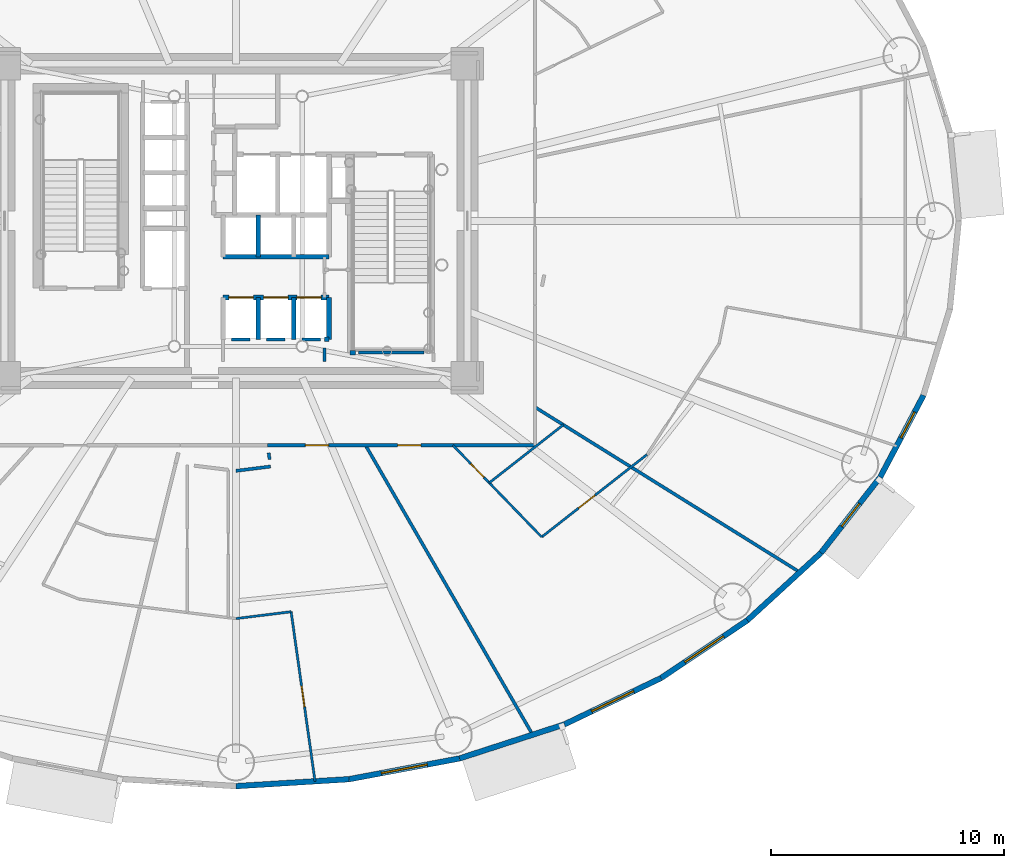
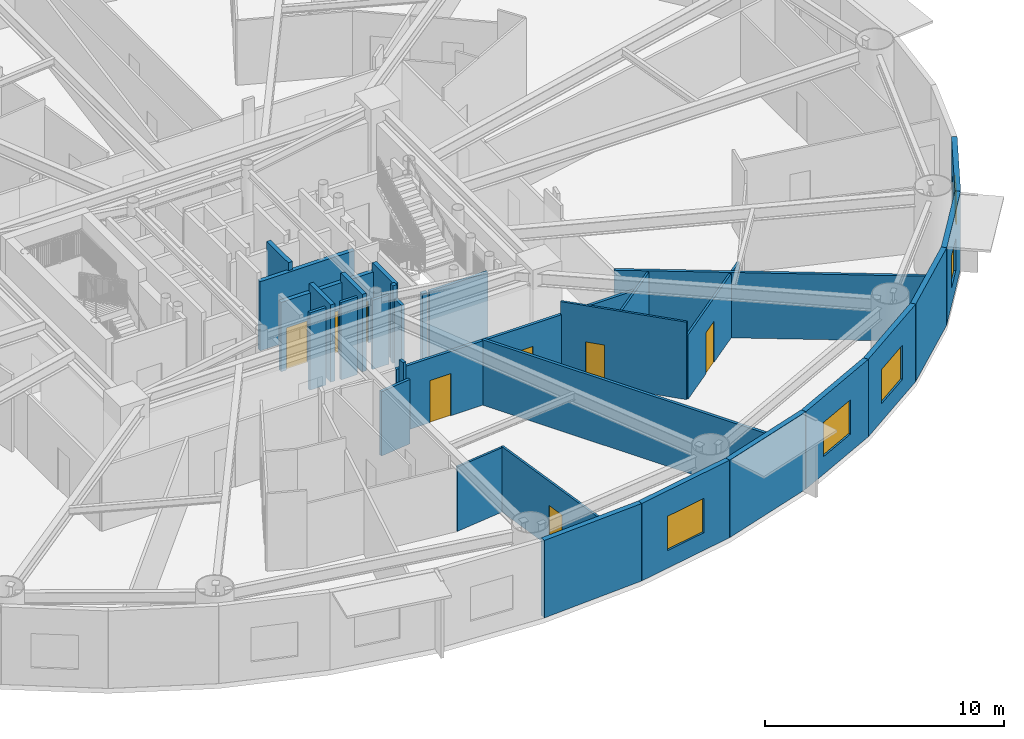
# One storey, part 9 of 20: 31 walls, 8 doors, 5 windows, 13 openings.
"""IFC4 building model written with IfcOpenShell, lengths in metres."""

from ifc_helpers import new_model, si_unit, direction, frame, frame_2d, origin, origin_2d, place, context, subcontext, project, spatial, rectangle, extrude, source, transform, mapped, material, layer, layer_set, type_object, element, fill, save


model = new_model("IFC4")

# Units and contexts
model_context = context("Model", 3, precision=1e-05, world=origin(), true_north=direction((0.0, 1.0)))
body_context = subcontext(model_context, "Body", "Model", "MODEL_VIEW")
ifc_project = project(units=[si_unit("LENGTHUNIT", "METRE"), si_unit("AREAUNIT", "SQUARE_METRE"), si_unit("VOLUMEUNIT", "CUBIC_METRE"), si_unit("PLANEANGLEUNIT", "RADIAN"), si_unit("MASSUNIT", "GRAM", prefix="KILO")], contexts=[model_context])

# Site, building, storey
site_placement = place(None, origin())
site = spatial("IfcSite", under=ifc_project, at=site_placement, CompositionType="ELEMENT")
building_placement = place(site_placement, origin())
building = spatial("IfcBuilding", under=site, at=building_placement, Name="Linh Dai School and Residence Tower", CompositionType="ELEMENT")
storey_placement = place(building_placement, frame((0.0, 0.0, 66.0)))
storey = spatial("IfcBuildingStorey", under=building, at=storey_placement, Name="L15", CompositionType="ELEMENT", Elevation=66.0)

# Wall
ifc_material_1 = material(Name="Precast Concrete B45 (C35/45)", Category="concrete")
ifc_layer_1 = layer(ifc_material_1, 0.239990234375)
ifc_layer_set_1 = layer_set([ifc_layer_1], Name="Precast Concrete B45 (C35/45)")
wall_type_1 = type_object("IfcWallType", Name="EW-TC-240", PredefinedType="SOLIDWALL", material=ifc_layer_set_1)
wall_1_placement = place(storey_placement, frame((40.865478515625, 2.994873046875, 0.0), z_axis=(0.0, 0.0, 1.0), x_axis=(-0.998106954071, -0.061502099433, 0.0)))
element("IfcWall", 1, at=wall_1_placement, inside=storey, type_object=wall_type_1, Name="L15 Terracotta Exterior Wall 31", PredefinedType="SOLIDWALL", context=body_context, shape_type="SweptSolid", body=[
    extrude(rectangle(XDim=4.874755859375, YDim=0.239990234375, at=frame_2d((2.4375, 0.0))), origin(), (0.0, 0.0, 1.0), 3.949951171875),
])

# Wall, opening, window
wall_2_placement = place(storey_placement, frame((45.610595703125, 3.88671875, 0.0), z_axis=(0.0, 0.0, 1.0), x_axis=(-0.982791952378, -0.184715939598, 0.0)))
wall_2 = element("IfcWall", 2, at=wall_2_placement, inside=storey, type_object=wall_type_1, Name="L15 Terracotta Exterior Wall 32", PredefinedType="SOLIDWALL", context=body_context, shape_type="SweptSolid", body=[
    extrude(rectangle(XDim=4.828125, YDim=0.239990234375, at=frame_2d((2.4140625, 0.0))), origin(), (0.0, 0.0, 1.0), 3.949951171875),
])
opening_1_placement = place(wall_2_placement, frame((1.414306640625, 0.0, 0.89990234375)))
opening_1 = element("IfcOpeningElement", 3, at=opening_1_placement, cuts=wall_2, Name="Opening W1", PredefinedType="OPENING", context=body_context, shape_type="SweptSolid", body=[
    extrude(rectangle(XDim=2.0, YDim=1.75, at=origin_2d()), frame((1.0, 0.1298828125, 0.875), z_axis=(0.0, -1.0, 0.0), x_axis=(1.0, 0.0, 0.0)), (0.0, 0.0, 1.0), 0.260009765625),
])
ifc_material_2 = material(Name="Double Low-E Insulated Glazing", Category="glass")
window_type_1 = type_object("IfcWindowType", Name="WN-RES-2000x1750", PartitioningType="DOUBLE_PANEL_VERTICAL", PredefinedType="WINDOW", material=ifc_material_2)
shared_shape_1 = source(origin(), body_context, "Body", "SweptSolid", [
    extrude(rectangle(XDim=2.0, YDim=1.75, at=origin_2d()), frame((1.0, 0.030029296875, 0.875), z_axis=(0.0, -1.0, 0.0), x_axis=(1.0, 0.0, 0.0)), (0.0, 0.0, 1.0), 0.06005859375),
])
window_1_placement = place(opening_1_placement, origin())
window_1 = element("IfcWindow", 4, at=window_1_placement, inside=storey, type_object=window_type_1, Name="L15 Exterior Window 32.1", OverallHeight=1.75, OverallWidth=2.0, PartitioningType="DOUBLE_PANEL_VERTICAL", PredefinedType="WINDOW", context=body_context, shape_type="MappedRepresentation", body=[
    mapped(shared_shape_1, transform((0.0, 0.0, 0.0), x_axis=(1.0, 0.0, 0.0), y_axis=(0.0, 1.0, 0.0), z_axis=(0.0, 0.0, 1.0), scale=1.0)),
])
fill(opening_1, window_1)

# Wall
wall_3_placement = place(storey_placement, frame((50.1181640625, 5.348876953125, 0.0), z_axis=(0.0, 0.0, 1.0), x_axis=(-0.951207699013, -0.308551313946, 0.0)))
element("IfcWall", 5, at=wall_3_placement, inside=storey, type_object=wall_type_1, Name="L15 Terracotta Exterior Wall 33", PredefinedType="SOLIDWALL", context=body_context, shape_type="SweptSolid", body=[
    extrude(rectangle(XDim=4.73876953125, YDim=0.239990234375, at=frame_2d((2.369384765625, 0.0))), origin(), (0.0, 0.0, 1.0), 3.949951171875),
])

# Wall, opening, window
wall_4_placement = place(storey_placement, frame((54.277099609375, 7.34423828125, 0.0), z_axis=(0.0, 0.0, 1.0), x_axis=(-0.901601503137, -0.432567601123, 0.0)))
wall_4 = element("IfcWall", 6, at=wall_4_placement, inside=storey, type_object=wall_type_1, Name="L15 Terracotta Exterior Wall 34", PredefinedType="SOLIDWALL", context=body_context, shape_type="SweptSolid", body=[
    extrude(rectangle(XDim=4.61279296875, YDim=0.239990234375, at=frame_2d((2.306396484375, 0.0))), origin(), (0.0, 0.0, 1.0), 3.949951171875),
])
opening_2_placement = place(wall_4_placement, frame((1.306640625, 0.0, 0.89990234375)))
opening_2 = element("IfcOpeningElement", 7, at=opening_2_placement, cuts=wall_4, Name="Opening W1", PredefinedType="OPENING", context=body_context, shape_type="SweptSolid", body=[
    extrude(rectangle(XDim=2.0, YDim=1.75, at=origin_2d()), frame((1.0, 0.1298828125, 0.875), z_axis=(0.0, -1.0, 0.0), x_axis=(1.0, 0.0, 0.0)), (0.0, 0.0, 1.0), 0.260009765625),
])
window_2_placement = place(opening_2_placement, origin())
window_2 = element("IfcWindow", 8, at=window_2_placement, inside=storey, type_object=window_type_1, Name="L15 Exterior Window 34.1", OverallHeight=1.75, OverallWidth=2.0, PartitioningType="DOUBLE_PANEL_VERTICAL", PredefinedType="WINDOW", context=body_context, shape_type="MappedRepresentation", body=[
    mapped(shared_shape_1, transform((0.0, 0.0, 0.0), x_axis=(1.0, 0.0, 0.0), y_axis=(0.0, 1.0, 0.0), z_axis=(0.0, 0.0, 1.0), scale=1.0)),
])
fill(opening_2, window_2)

wall_5_placement = place(storey_placement, frame((57.984619140625, 9.82373046875, 0.0), z_axis=(0.0, 0.0, 1.0), x_axis=(-0.831240982525, -0.555912249343, 0.0)))
wall_5 = element("IfcWall", 9, at=wall_5_placement, inside=storey, type_object=wall_type_1, Name="L15 Terracotta Exterior Wall 35", PredefinedType="SOLIDWALL", context=body_context, shape_type="SweptSolid", body=[
    extrude(rectangle(XDim=4.460205078125, YDim=0.239990234375, at=frame_2d((2.22998046875, 0.0))), origin(), (0.0, 0.0, 1.0), 3.949951171875),
])
opening_3_placement = place(wall_5_placement, frame((1.230224609375, 0.0, 0.89990234375)))
opening_3 = element("IfcOpeningElement", 10, at=opening_3_placement, cuts=wall_5, Name="Opening W1", PredefinedType="OPENING", context=body_context, shape_type="SweptSolid", body=[
    extrude(rectangle(XDim=2.0, YDim=1.75, at=origin_2d()), frame((1.0, 0.1298828125, 0.875), z_axis=(0.0, -1.0, 0.0), x_axis=(1.0, 0.0, 0.0)), (0.0, 0.0, 1.0), 0.260009765625),
])
window_3_placement = place(opening_3_placement, origin())
window_3 = element("IfcWindow", 11, at=window_3_placement, inside=storey, type_object=window_type_1, Name="L15 Exterior Window 35.1", OverallHeight=1.75, OverallWidth=2.0, PartitioningType="DOUBLE_PANEL_VERTICAL", PredefinedType="WINDOW", context=body_context, shape_type="MappedRepresentation", body=[
    mapped(shared_shape_1, transform((0.0, 0.0, 0.0), x_axis=(1.0, 0.0, 0.0), y_axis=(0.0, 1.0, 0.0), z_axis=(0.0, 0.0, 1.0), scale=1.0)),
])
fill(opening_3, window_3)

# Wall
wall_6_placement = place(storey_placement, frame((61.149658203125, 12.725341796875, 0.0), z_axis=(0.0, 0.0, 1.0), x_axis=(-0.737116376281, -0.67576582321, 0.0)))
element("IfcWall", 12, at=wall_6_placement, inside=storey, type_object=wall_type_1, Name="L15 Terracotta Exterior Wall 36", PredefinedType="SOLIDWALL", context=body_context, shape_type="SweptSolid", body=[
    extrude(rectangle(XDim=4.293701171875, YDim=0.239990234375, at=frame_2d((2.14697265625, 0.0))), origin(), (0.0, 0.0, 1.0), 3.949951171875),
])

# Wall, opening, window
wall_7_placement = place(storey_placement, frame((63.694580078125, 15.977294921875, 0.0), z_axis=(0.0, 0.0, 1.0), x_axis=(-0.616295508253, -0.787514981767, 0.0)))
wall_7 = element("IfcWall", 13, at=wall_7_placement, inside=storey, type_object=wall_type_1, Name="L15 Terracotta Exterior Wall 37", PredefinedType="SOLIDWALL", context=body_context, shape_type="SweptSolid", body=[
    extrude(rectangle(XDim=4.12939453125, YDim=0.239990234375, at=frame_2d((2.064697265625, 0.0))), origin(), (0.0, 0.0, 1.0), 3.949951171875),
])
opening_4_placement = place(wall_7_placement, frame((1.439697265625, 0.0, 0.89990234375)))
opening_4 = element("IfcOpeningElement", 14, at=opening_4_placement, cuts=wall_7, Name="Opening W3", PredefinedType="OPENING", context=body_context, shape_type="SweptSolid", body=[
    extrude(rectangle(XDim=1.25, YDim=1.64990234375, at=origin_2d()), frame((0.625, 0.1298828125, 0.824951171875), z_axis=(0.0, -1.0, 0.0), x_axis=(1.0, 0.0, 0.0)), (0.0, 0.0, 1.0), 0.260009765625),
])
window_type_2 = type_object("IfcWindowType", Name="WN-RES-1250x1650", PartitioningType="SINGLE_PANEL", PredefinedType="WINDOW", material=ifc_material_2)
shared_shape_2 = source(origin(), body_context, "Body", "SweptSolid", [
    extrude(rectangle(XDim=1.25, YDim=1.64990234375, at=origin_2d()), frame((0.625, 0.030029296875, 0.824951171875), z_axis=(0.0, -1.0, 0.0), x_axis=(1.0, 0.0, 0.0)), (0.0, 0.0, 1.0), 0.06005859375),
])
window_4_placement = place(opening_4_placement, origin())
window_4 = element("IfcWindow", 15, at=window_4_placement, inside=storey, type_object=window_type_2, Name="L15 Dwelling Window U1510-BD1", OverallHeight=1.64990234375, OverallWidth=1.25, PartitioningType="SINGLE_PANEL", PredefinedType="WINDOW", context=body_context, shape_type="MappedRepresentation", body=[
    mapped(shared_shape_2, transform((0.0, 0.0, 0.0), x_axis=(1.0, 0.0, 0.0), y_axis=(0.0, 1.0, 0.0), z_axis=(0.0, 0.0, 1.0), scale=1.0)),
])
fill(opening_4, window_4)

wall_8_placement = place(storey_placement, frame((65.5576171875, 19.49853515625, 0.0), z_axis=(0.0, 0.0, 1.0), x_axis=(-0.467662443071, -0.883907144072, 0.0)))
wall_8 = element("IfcWall", 16, at=wall_8_placement, inside=storey, type_object=wall_type_1, Name="L15 Terracotta Exterior Wall 38", PredefinedType="SOLIDWALL", context=body_context, shape_type="SweptSolid", body=[
    extrude(rectangle(XDim=3.983642578125, YDim=0.239990234375, at=frame_2d((1.99169921875, 0.0))), origin(), (0.0, 0.0, 1.0), 3.949951171875),
])
opening_5_placement = place(wall_8_placement, frame((0.8173828125, 0.0, 0.89990234375)))
opening_5 = element("IfcOpeningElement", 17, at=opening_5_placement, cuts=wall_8, Name="Opening W3", PredefinedType="OPENING", context=body_context, shape_type="SweptSolid", body=[
    extrude(rectangle(XDim=1.25, YDim=1.64990234375, at=origin_2d()), frame((0.625, 0.1298828125, 0.824951171875), z_axis=(0.0, -1.0, 0.0), x_axis=(1.0, 0.0, 0.0)), (0.0, 0.0, 1.0), 0.260009765625),
])
window_5_placement = place(opening_5_placement, origin())
window_5 = element("IfcWindow", 18, at=window_5_placement, inside=storey, type_object=window_type_2, Name="L15 Exterior Window 38.1", OverallHeight=1.64990234375, OverallWidth=1.25, PartitioningType="SINGLE_PANEL", PredefinedType="WINDOW", context=body_context, shape_type="MappedRepresentation", body=[
    mapped(shared_shape_2, transform((0.0, 0.0, 0.0), x_axis=(1.0, 0.0, 0.0), y_axis=(0.0, 1.0, 0.0), z_axis=(0.0, 0.0, 1.0), scale=1.0)),
])
fill(opening_5, window_5)

# Wall, openings, doors
ifc_material_3 = material(Name="Autoclaved Aerated Concrete Blockwork", Category="masonry")
ifc_layer_2 = layer(ifc_material_3, 0.135009765625)
ifc_layer_set_2 = layer_set([ifc_layer_2], Name="Autoclaved Aerated Concrete Blockwork")
wall_type_2 = type_object("IfcWallType", Name="IW-CORR-135-EI90", PredefinedType="PARTITIONING", material=ifc_layer_set_2)
wall_9_placement = place(storey_placement, frame((37.362060546875, 17.35009765625, 0.0), z_axis=(0.0, 0.0, 1.0), x_axis=(1.0, 0.0, 0.0)))
wall_9 = element("IfcWall", 19, at=wall_9_placement, inside=storey, type_object=wall_type_2, Name="L15 Interior Partition Wall 064", PredefinedType="PARTITIONING", context=body_context, shape_type="SweptSolid", body=[
    extrude(rectangle(XDim=11.488037109375, YDim=0.135009765625, at=frame_2d((5.744140625, 0.0))), origin(), (0.0, 0.0, 1.0), 3.284912109375),
])
opening_6_placement = place(wall_9_placement, frame((1.624755859375, 0.0, 0.0)))
opening_6 = element("IfcOpeningElement", 20, at=opening_6_placement, cuts=wall_9, Name="Opening D03", PredefinedType="OPENING", context=body_context, shape_type="SweptSolid", body=[
    extrude(rectangle(XDim=1.0, YDim=2.14990234375, at=origin_2d()), frame((0.5, 0.07763671875, 1.074951171875), z_axis=(0.0, -1.0, 0.0), x_axis=(1.0, 0.0, 0.0)), (0.0, 0.0, 1.0), 0.155029296875),
])
opening_7_placement = place(wall_9_placement, frame((5.588623046875, 0.0, 0.0)))
opening_7 = element("IfcOpeningElement", 21, at=opening_7_placement, cuts=wall_9, Name="Opening D03", PredefinedType="OPENING", context=body_context, shape_type="SweptSolid", body=[
    extrude(rectangle(XDim=1.0, YDim=2.14990234375, at=origin_2d()), frame((0.5, 0.07763671875, 1.074951171875), z_axis=(0.0, -1.0, 0.0), x_axis=(1.0, 0.0, 0.0)), (0.0, 0.0, 1.0), 0.155029296875),
])
ifc_material_4 = material(Name="Fire-Rated Solid Timber Entrance Door", Category="wood")
door_type_1 = type_object("IfcDoorType", Name="DR-FLAT-1000x2150-FD60S", OperationType="NOTDEFINED", PredefinedType="DOOR", material=ifc_material_4)
shared_shape_3 = source(origin(), body_context, "Body", "SweptSolid", [
    extrude(rectangle(XDim=1.0, YDim=2.14990234375, at=origin_2d()), frame((0.5, 0.02490234375, 1.074951171875), z_axis=(0.0, -1.0, 0.0), x_axis=(1.0, 0.0, 0.0)), (0.0, 0.0, 1.0), 0.050048828125),
])
door_1_placement = place(opening_6_placement, origin())
door_1 = element("IfcDoor", 22, at=door_1_placement, inside=storey, type_object=door_type_1, Name="L15 U1508 Apartment Entrance Door", OperationType="SINGLE_SWING_RIGHT", OverallHeight=2.14990234375, OverallWidth=1.0, PredefinedType="DOOR", context=body_context, shape_type="MappedRepresentation", body=[
    mapped(shared_shape_3, transform((0.0, 0.0, 0.0), x_axis=(1.0, 0.0, 0.0), y_axis=(0.0, 1.0, 0.0), z_axis=(0.0, 0.0, 1.0), scale=1.0)),
])
fill(opening_6, door_1)
door_2_placement = place(opening_7_placement, origin())
door_2 = element("IfcDoor", 23, at=door_2_placement, inside=storey, type_object=door_type_1, Name="L15 U1509 Apartment Entrance Door", OperationType="SINGLE_SWING_RIGHT", OverallHeight=2.14990234375, OverallWidth=1.0, PredefinedType="DOOR", context=body_context, shape_type="MappedRepresentation", body=[
    mapped(shared_shape_3, transform((0.0, 0.0, 0.0), x_axis=(1.0, 0.0, 0.0), y_axis=(0.0, 1.0, 0.0), z_axis=(0.0, 0.0, 1.0), scale=1.0)),
])
fill(opening_7, door_2)

# Walls
wall_10_placement = place(storey_placement, frame((41.571533203125, 17.35009765625, 0.0), z_axis=(0.0, 0.0, 1.0), x_axis=(0.499990052844, -0.866031146701, 0.0)))
element("IfcWall", 24, at=wall_10_placement, inside=storey, type_object=wall_type_2, Name="L15 Interior Partition Wall 080", PredefinedType="PARTITIONING", context=body_context, shape_type="SweptSolid", body=[
    extrude(rectangle(XDim=14.373291015625, YDim=0.135009765625, at=frame_2d((7.1865234375, 0.0))), origin(), (0.0, 0.0, 1.0), 3.3349609375),
])
wall_11_placement = place(storey_placement, frame((48.85009765625, 18.991455078125, 0.0), z_axis=(0.0, 0.0, 1.0), x_axis=(0.848674864049, -0.528914903488, 0.0)))
element("IfcWall", 25, at=wall_11_placement, inside=storey, type_object=wall_type_2, Name="L15 Interior Partition Wall 093", PredefinedType="PARTITIONING", context=body_context, shape_type="SweptSolid", body=[
    extrude(rectangle(XDim=13.42724609375, YDim=0.135009765625, at=frame_2d((6.713623046875, 0.0))), origin(), (0.0, 0.0, 1.0), 3.3349609375),
])
wall_12_placement = place(storey_placement, frame((44.080078125, 21.330078125, 0.0), z_axis=(0.0, 0.0, 1.0), x_axis=(-1.0, 0.0, 0.0)))
element("IfcWall", 26, at=wall_12_placement, inside=storey, type_object=wall_type_2, Name="L15 Interior Partition Wall 106", PredefinedType="PARTITIONING", context=body_context, shape_type="SweptSolid", body=[
    extrude(rectangle(XDim=2.820068359375, YDim=0.135009765625, at=frame_2d((1.41015625, 0.0))), origin(), (0.0, 0.0, 1.0), 3.485107421875),
])
wall_13_placement = place(storey_placement, frame((36.60009765625, 21.89990234375, 0.0), z_axis=(0.0, 0.0, 1.0), x_axis=(-1.0, 0.0, 0.0)))
element("IfcWall", 27, at=wall_13_placement, inside=storey, type_object=wall_type_2, Name="L15 Interior Partition Wall 107", PredefinedType="PARTITIONING", context=body_context, shape_type="SweptSolid", body=[
    extrude(rectangle(XDim=0.7900390625, YDim=0.135009765625, at=frame_2d((0.39501953125, 0.0))), origin(), (0.0, 0.0, 1.0), 3.949951171875),
])
wall_14_placement = place(storey_placement, frame((38.1201171875, 21.89990234375, 0.0), z_axis=(0.0, 0.0, 1.0), x_axis=(-1.0, 0.0, 0.0)))
element("IfcWall", 28, at=wall_14_placement, inside=storey, type_object=wall_type_2, Name="L15 Interior Partition Wall 108", PredefinedType="PARTITIONING", context=body_context, shape_type="SweptSolid", body=[
    extrude(rectangle(XDim=0.800048828125, YDim=0.135009765625, at=frame_2d((0.39990234375, 0.0))), origin(), (0.0, 0.0, 1.0), 3.949951171875),
])
wall_15_placement = place(storey_placement, frame((39.639892578125, 21.89990234375, 0.0), z_axis=(0.0, 0.0, 1.0), x_axis=(-1.0, 0.0, 0.0)))
element("IfcWall", 29, at=wall_15_placement, inside=storey, type_object=wall_type_2, Name="L15 Interior Partition Wall 109", PredefinedType="PARTITIONING", context=body_context, shape_type="SweptSolid", body=[
    extrude(rectangle(XDim=0.7998046875, YDim=0.135009765625, at=frame_2d((0.39990234375, 0.0))), origin(), (0.0, 0.0, 1.0), 3.534912109375),
])
wall_16_placement = place(storey_placement, frame((39.800048828125, 20.9599609375, 0.0), z_axis=(0.0, 0.0, 1.0), x_axis=(0.0, 1.0, 0.0)))
element("IfcWall", 30, at=wall_16_placement, inside=storey, type_object=wall_type_2, Name="L15 Interior Partition Wall 111", PredefinedType="PARTITIONING", context=body_context, shape_type="SweptSolid", body=[
    extrude(rectangle(XDim=0.580078125, YDim=0.135009765625, at=frame_2d((0.2900390625, 0.0))), origin(), (0.0, 0.0, 1.0), 3.485107421875),
])
wall_17_placement = place(storey_placement, frame((36.0, 16.250732421875, 0.0), z_axis=(0.0, 0.0, 1.0), x_axis=(0.992387468615, 0.12315482993, 0.0)))
element("IfcWall", 31, at=wall_17_placement, inside=storey, type_object=wall_type_2, Name="L15 Interior Partition Wall 134", PredefinedType="PARTITIONING", context=body_context, shape_type="SweptSolid", body=[
    extrude(rectangle(XDim=1.502685546875, YDim=0.135009765625, at=frame_2d((0.75146484375, 0.0))), origin(), (0.0, 0.0, 1.0), 3.284912109375),
])
wall_18_placement = place(storey_placement, frame((37.447998046875, 16.740234375, 0.0), z_axis=(0.0, 0.0, 1.0), x_axis=(-0.139622307759, 0.990204832939, 0.0)))
element("IfcWall", 32, at=wall_18_placement, inside=storey, type_object=wall_type_2, Name="L15 Interior Partition Wall 135", PredefinedType="PARTITIONING", context=body_context, shape_type="SweptSolid", body=[
    extrude(rectangle(XDim=0.284912109375, YDim=0.135009765625, at=frame_2d((0.142578125, 0.0))), origin(), (0.0, 0.0, 1.0), 3.949951171875),
])

# Wall, openings, doors
ifc_material_5 = material(Name="Concrete B45 (C35/45)", Category="concrete")
ifc_layer_3 = layer(ifc_material_5, 0.199951171875)
ifc_layer_set_3 = layer_set([ifc_layer_3], Name="Concrete B45 (C35/45)")
wall_type_3 = type_object("IfcWallType", Name="IW-SHAFT-200-EI120", PredefinedType="PARTITIONING", material=ifc_layer_set_3)
wall_19_placement = place(storey_placement, frame((35.449951171875, 23.699951171875, 0.0), z_axis=(0.0, 0.0, 1.0), x_axis=(1.0, 0.0, 0.0)))
wall_19 = element("IfcWall", 33, at=wall_19_placement, inside=storey, type_object=wall_type_3, Name="L15 Interior Partition Wall 053", PredefinedType="PARTITIONING", context=body_context, shape_type="SweptSolid", body=[
    extrude(rectangle(XDim=4.550048828125, YDim=0.199951171875, at=frame_2d((2.27490234375, 0.0))), origin(), (0.0, 0.0, 1.0), 3.534912109375),
])
opening_8_placement = place(wall_19_placement, frame((0.25, 0.0, 0.0)))
opening_8 = element("IfcOpeningElement", 34, at=opening_8_placement, cuts=wall_19, Name="Opening LD-PL1", PredefinedType="OPENING", context=body_context, shape_type="SweptSolid", body=[
    extrude(rectangle(XDim=1.050048828125, YDim=2.14990234375, at=origin_2d()), frame((0.52490234375, 0.10986328125, 1.074951171875), z_axis=(0.0, -1.0, 0.0), x_axis=(1.0, 0.0, 0.0)), (0.0, 0.0, 1.0), 0.219970703125),
])
opening_9_placement = place(wall_19_placement, frame((1.7451171875, 0.0, 0.0)))
opening_9 = element("IfcOpeningElement", 35, at=opening_9_placement, cuts=wall_19, Name="Opening LD-PL2", PredefinedType="OPENING", context=body_context, shape_type="SweptSolid", body=[
    extrude(rectangle(XDim=1.050048828125, YDim=2.14990234375, at=origin_2d()), frame((0.52490234375, 0.10986328125, 1.074951171875), z_axis=(0.0, -1.0, 0.0), x_axis=(1.0, 0.0, 0.0)), (0.0, 0.0, 1.0), 0.219970703125),
])
opening_10_placement = place(wall_19_placement, frame((3.1650390625, 0.0, 0.0)))
opening_10 = element("IfcOpeningElement", 36, at=opening_10_placement, cuts=wall_19, Name="Opening LD-PL3", PredefinedType="OPENING", context=body_context, shape_type="SweptSolid", body=[
    extrude(rectangle(XDim=1.050048828125, YDim=2.14990234375, at=origin_2d()), frame((0.52490234375, 0.10986328125, 1.074951171875), z_axis=(0.0, -1.0, 0.0), x_axis=(1.0, 0.0, 0.0)), (0.0, 0.0, 1.0), 0.219970703125),
])
ifc_material_6 = material(Name="Brushed Stainless Steel Lift Landing Door", Category="steel")
door_type_2 = type_object("IfcDoorType", Name="DR-LD-PASS-1050x2150", OperationType="DOUBLE_DOOR_SLIDING", PredefinedType="USERDEFINED", material=ifc_material_6)
shared_shape_4 = source(origin(), body_context, "Body", "SweptSolid", [
    extrude(rectangle(XDim=1.050048828125, YDim=2.14990234375, at=origin_2d()), frame((0.52490234375, 0.02490234375, 1.074951171875), z_axis=(0.0, -1.0, 0.0), x_axis=(1.0, 0.0, 0.0)), (0.0, 0.0, 1.0), 0.050048828125),
])
door_3_placement = place(opening_8_placement, origin())
door_3 = element("IfcDoor", 37, at=door_3_placement, inside=storey, type_object=door_type_2, Name="L15 Lift PL1 Sliding Landing Door", ObjectType="LANDING DOOR", OperationType="DOUBLE_DOOR_SLIDING", OverallHeight=2.14990234375, OverallWidth=1.050048828125, PredefinedType="USERDEFINED", context=body_context, shape_type="MappedRepresentation", body=[
    mapped(shared_shape_4, transform((0.0, 0.0, 0.0), x_axis=(1.0, 0.0, 0.0), y_axis=(0.0, 1.0, 0.0), z_axis=(0.0, 0.0, 1.0), scale=1.0)),
])
fill(opening_8, door_3)
door_4_placement = place(opening_9_placement, origin())
door_4 = element("IfcDoor", 38, at=door_4_placement, inside=storey, type_object=door_type_2, Name="L15 Lift PL2 Sliding Landing Door", ObjectType="LANDING DOOR", OperationType="DOUBLE_DOOR_SLIDING", OverallHeight=2.14990234375, OverallWidth=1.050048828125, PredefinedType="USERDEFINED", context=body_context, shape_type="MappedRepresentation", body=[
    mapped(shared_shape_4, transform((0.0, 0.0, 0.0), x_axis=(1.0, 0.0, 0.0), y_axis=(0.0, 1.0, 0.0), z_axis=(0.0, 0.0, 1.0), scale=1.0)),
])
fill(opening_9, door_4)
door_5_placement = place(opening_10_placement, origin())
door_5 = element("IfcDoor", 39, at=door_5_placement, inside=storey, type_object=door_type_2, Name="L15 Lift PL3 Sliding Landing Door", ObjectType="LANDING DOOR", OperationType="DOUBLE_DOOR_SLIDING", OverallHeight=2.14990234375, OverallWidth=1.050048828125, PredefinedType="USERDEFINED", context=body_context, shape_type="MappedRepresentation", body=[
    mapped(shared_shape_4, transform((0.0, 0.0, 0.0), x_axis=(1.0, 0.0, 0.0), y_axis=(0.0, 1.0, 0.0), z_axis=(0.0, 0.0, 1.0), scale=1.0)),
])
fill(opening_10, door_5)

# Walls
wall_20_placement = place(storey_placement, frame((35.449951171875, 25.449951171875, 0.0), z_axis=(0.0, 0.0, 1.0), x_axis=(1.0, 0.0, 0.0)))
element("IfcWall", 40, at=wall_20_placement, inside=storey, type_object=wall_type_3, Name="L15 Interior Partition Wall 055", PredefinedType="PARTITIONING", context=body_context, shape_type="SweptSolid", body=[
    extrude(rectangle(XDim=4.550048828125, YDim=0.199951171875, at=frame_2d((2.27490234375, 0.0))), origin(), (0.0, 0.0, 1.0), 3.534912109375),
])
for number, where, z_axis, x_axis, name in (
    (41, (36.9599609375, 21.89990234375, 0.0), (0.0, 0.0, 1.0), (0.0, 1.0, 0.0), "L15 Interior Partition Wall 061"),
    (42, (36.9599609375, 25.449951171875, 0.0), (0.0, 0.0, 1.0), (0.0, 1.0, 0.0), "L15 Interior Partition Wall 062"),
    (43, (38.47998046875, 21.89990234375, 0.0), (0.0, 0.0, 1.0), (0.0, 1.0, 0.0), "L15 Interior Partition Wall 068"),
):
    element("IfcWall", number, at=place(storey_placement, frame(where, z_axis=z_axis, x_axis=x_axis)), inside=storey, type_object=wall_type_3, Name=name, PredefinedType="PARTITIONING", context=body_context, shape_type="SweptSolid", body=[
        extrude(rectangle(XDim=1.800048828125, YDim=0.199951171875, at=frame_2d((0.89990234375, 0.0))), origin(), (0.0, 0.0, 1.0), 3.949951171875),
    ])
wall_21_placement = place(storey_placement, frame((39.800048828125, 21.89990234375, 0.0), z_axis=(0.0, 0.0, 1.0), x_axis=(1.0, 0.0, 0.0)))
element("IfcWall", 44, at=wall_21_placement, inside=storey, type_object=wall_type_3, Name="L15 Interior Partition Wall 071", PredefinedType="PARTITIONING", context=body_context, shape_type="SweptSolid", body=[
    extrude(rectangle(XDim=0.199951171875, YDim=0.199951171875, at=frame_2d((0.10009765625, 0.0))), origin(), (0.0, 0.0, 1.0), 3.949951171875),
])
wall_22_placement = place(storey_placement, frame((40.0, 21.89990234375, 0.0), z_axis=(0.0, 0.0, 1.0), x_axis=(0.0, 1.0, 0.0)))
element("IfcWall", 45, at=wall_22_placement, inside=storey, type_object=wall_type_3, Name="L15 Interior Partition Wall 074", PredefinedType="PARTITIONING", context=body_context, shape_type="SweptSolid", body=[
    extrude(rectangle(XDim=1.800048828125, YDim=0.199951171875, at=frame_2d((0.89990234375, 0.0))), origin(), (0.0, 0.0, 1.0), 3.949951171875),
])
wall_23_placement = place(storey_placement, frame((40.89990234375, 21.330078125, 0.0), z_axis=(0.0, 0.0, 1.0), x_axis=(1.0, 0.0, 0.0)))
element("IfcWall", 46, at=wall_23_placement, inside=storey, type_object=wall_type_3, Name="L15 Interior Partition Wall 079", PredefinedType="PARTITIONING", context=body_context, shape_type="SweptSolid", body=[
    extrude(rectangle(XDim=0.25, YDim=0.199951171875, at=frame_2d((0.125, 0.0))), origin(), (0.0, 0.0, 1.0), 3.485107421875),
])
ifc_material_7 = material(Name="Gypsum Plasterboard Acoustic Stud Partition", Category="masonry")
ifc_layer_4 = layer(ifc_material_7, 0.10009765625)
ifc_layer_set_4 = layer_set([ifc_layer_4], Name="Gypsum Plasterboard Acoustic Stud Partition")
wall_type_4 = type_object("IfcWallType", Name="IW-UNIT-100", PredefinedType="PARTITIONING", material=ifc_layer_set_4)
wall_24_placement = place(storey_placement, frame((36.0, 9.89892578125, 0.0), z_axis=(0.0, 0.0, 1.0), x_axis=(0.992396842546, 0.123079270818, 0.0)))
element("IfcWall", 47, at=wall_24_placement, inside=storey, type_object=wall_type_4, Name="L15 Interior Partition Wall 060", PredefinedType="PARTITIONING", context=body_context, shape_type="SweptSolid", body=[
    extrude(rectangle(XDim=2.39013671875, YDim=0.10009765625, at=frame_2d((1.195068359375, 0.0))), origin(), (0.0, 0.0, 1.0), 3.284912109375),
])

# Wall, opening, door
wall_25_placement = place(storey_placement, frame((38.3720703125, 10.193115234375, 0.0), z_axis=(0.0, 0.0, 1.0), x_axis=(0.139773837757, -0.99018345486, 0.0)))
wall_25 = element("IfcWall", 48, at=wall_25_placement, inside=storey, type_object=wall_type_4, Name="L15 Interior Partition Wall 067", PredefinedType="PARTITIONING", context=body_context, shape_type="SweptSolid", body=[
    extrude(rectangle(XDim=7.36572265625, YDim=0.10009765625, at=frame_2d((3.682861328125, 0.0))), origin(), (0.0, 0.0, 1.0), 3.3349609375),
])
opening_11_placement = place(wall_25_placement, frame((3.23291015625, 0.0, 0.0)))
opening_11 = element("IfcOpeningElement", 49, at=opening_11_placement, cuts=wall_25, Name="Opening D05", PredefinedType="OPENING", context=body_context, shape_type="SweptSolid", body=[
    extrude(rectangle(XDim=0.89990234375, YDim=2.10009765625, at=origin_2d()), frame((0.449951171875, 0.06005859375, 1.050048828125), z_axis=(0.0, -1.0, 0.0), x_axis=(1.0, 0.0, 0.0)), (0.0, 0.0, 1.0), 0.1201171875),
])
ifc_material_8 = material(Name="Engineered Timber Internal Door", Category="wood")
door_type_3 = type_object("IfcDoorType", Name="DR-INT-900x2100", OperationType="NOTDEFINED", PredefinedType="DOOR", material=ifc_material_8)
shared_shape_5 = source(origin(), body_context, "Body", "SweptSolid", [
    extrude(rectangle(XDim=0.89990234375, YDim=2.10009765625, at=origin_2d()), frame((0.449951171875, 0.02490234375, 1.050048828125), z_axis=(0.0, -1.0, 0.0), x_axis=(1.0, 0.0, 0.0)), (0.0, 0.0, 1.0), 0.050048828125),
])
door_6_placement = place(opening_11_placement, origin())
door_6 = element("IfcDoor", 50, at=door_6_placement, inside=storey, type_object=door_type_3, Name="L15 Apartment U1508 Principal Bedroom 1 Door", OperationType="SINGLE_SWING_LEFT", OverallHeight=2.10009765625, OverallWidth=0.89990234375, PredefinedType="DOOR", context=body_context, shape_type="MappedRepresentation", body=[
    mapped(shared_shape_5, transform((0.0, 0.0, 0.0), x_axis=(1.0, 0.0, 0.0), y_axis=(0.0, 1.0, 0.0), z_axis=(0.0, 0.0, 1.0), scale=1.0)),
])
fill(opening_11, door_6)

wall_26_placement = place(storey_placement, frame((45.329833984375, 17.35009765625, 0.0), z_axis=(0.0, 0.0, 1.0), x_axis=(0.695082659364, -0.718929827348, 0.0)))
wall_26 = element("IfcWall", 51, at=wall_26_placement, inside=storey, type_object=wall_type_4, Name="L15 Interior Partition Wall 085", PredefinedType="PARTITIONING", context=body_context, shape_type="SweptSolid", body=[
    extrude(rectangle(XDim=5.4873046875, YDim=0.10009765625, at=frame_2d((2.74365234375, 0.0))), origin(), (0.0, 0.0, 1.0), 3.949951171875),
])
opening_12_placement = place(wall_26_placement, frame((1.100341796875, 0.0, 0.0)))
opening_12 = element("IfcOpeningElement", 52, at=opening_12_placement, cuts=wall_26, Name="Opening D06", PredefinedType="OPENING", context=body_context, shape_type="SweptSolid", body=[
    extrude(rectangle(XDim=0.820068359375, YDim=2.10009765625, at=origin_2d()), frame((0.41015625, 0.06005859375, 1.050048828125), z_axis=(0.0, -1.0, 0.0), x_axis=(1.0, 0.0, 0.0)), (0.0, 0.0, 1.0), 0.1201171875),
])
ifc_material_9 = material(Name="Moisture-Resistant Timber Bathroom Door", Category="wood")
door_type_4 = type_object("IfcDoorType", Name="DR-WET-820x2100", OperationType="NOTDEFINED", PredefinedType="DOOR", material=ifc_material_9)
shared_shape_6 = source(origin(), body_context, "Body", "SweptSolid", [
    extrude(rectangle(XDim=0.820068359375, YDim=2.10009765625, at=origin_2d()), frame((0.41015625, 0.02490234375, 1.050048828125), z_axis=(0.0, -1.0, 0.0), x_axis=(1.0, 0.0, 0.0)), (0.0, 0.0, 1.0), 0.050048828125),
])
door_7_placement = place(opening_12_placement, origin())
door_7 = element("IfcDoor", 53, at=door_7_placement, inside=storey, type_object=door_type_4, Name="L15 Apartment U1509 Bathroom Door", OperationType="SINGLE_SWING_LEFT", OverallHeight=2.10009765625, OverallWidth=0.820068359375, PredefinedType="DOOR", context=body_context, shape_type="MappedRepresentation", body=[
    mapped(shared_shape_6, transform((0.0, 0.0, 0.0), x_axis=(1.0, 0.0, 0.0), y_axis=(0.0, 1.0, 0.0), z_axis=(0.0, 0.0, 1.0), scale=1.0)),
])
fill(opening_12, door_7)

# Wall
wall_27_placement = place(storey_placement, frame((46.890625, 15.735595703125, 0.0), z_axis=(0.0, 0.0, 1.0), x_axis=(0.787335515078, 0.61652476568, 0.0)))
element("IfcWall", 54, at=wall_27_placement, inside=storey, type_object=wall_type_4, Name="L15 Interior Partition Wall 086", PredefinedType="PARTITIONING", context=body_context, shape_type="SweptSolid", body=[
    extrude(rectangle(XDim=4.04345703125, YDim=0.10009765625, at=frame_2d((2.021728515625, 0.0))), origin(), (0.0, 0.0, 1.0), 3.284912109375),
])

# Wall, opening, door
wall_28_placement = place(storey_placement, frame((49.14404296875, 13.4052734375, 0.0), z_axis=(0.0, 0.0, 1.0), x_axis=(0.787337339938, 0.616522435228, 0.0)))
wall_28 = element("IfcWall", 55, at=wall_28_placement, inside=storey, type_object=wall_type_4, Name="L15 Interior Partition Wall 097", PredefinedType="PARTITIONING", context=body_context, shape_type="SweptSolid", body=[
    extrude(rectangle(XDim=5.7470703125, YDim=0.10009765625, at=frame_2d((2.87353515625, 0.0))), origin(), (0.0, 0.0, 1.0), 3.284912109375),
])
opening_13_placement = place(wall_28_placement, frame((2.010009765625, 0.0, 0.0)))
opening_13 = element("IfcOpeningElement", 56, at=opening_13_placement, cuts=wall_28, Name="Opening D05", PredefinedType="OPENING", context=body_context, shape_type="SweptSolid", body=[
    extrude(rectangle(XDim=0.89990234375, YDim=2.10009765625, at=origin_2d()), frame((0.449951171875, 0.06005859375, 1.050048828125), z_axis=(0.0, -1.0, 0.0), x_axis=(1.0, 0.0, 0.0)), (0.0, 0.0, 1.0), 0.1201171875),
])
door_8_placement = place(opening_13_placement, origin())
door_8 = element("IfcDoor", 57, at=door_8_placement, inside=storey, type_object=door_type_3, Name="L15 Apartment U1509 Kitchen Door", OperationType="SINGLE_SWING_RIGHT", OverallHeight=2.10009765625, OverallWidth=0.89990234375, PredefinedType="DOOR", context=body_context, shape_type="MappedRepresentation", body=[
    mapped(shared_shape_5, transform((0.0, 0.0, 0.0), x_axis=(1.0, 0.0, 0.0), y_axis=(0.0, 1.0, 0.0), z_axis=(0.0, 0.0, 1.0), scale=1.0)),
])
fill(opening_13, door_8)

save(model, "model.ifc")
